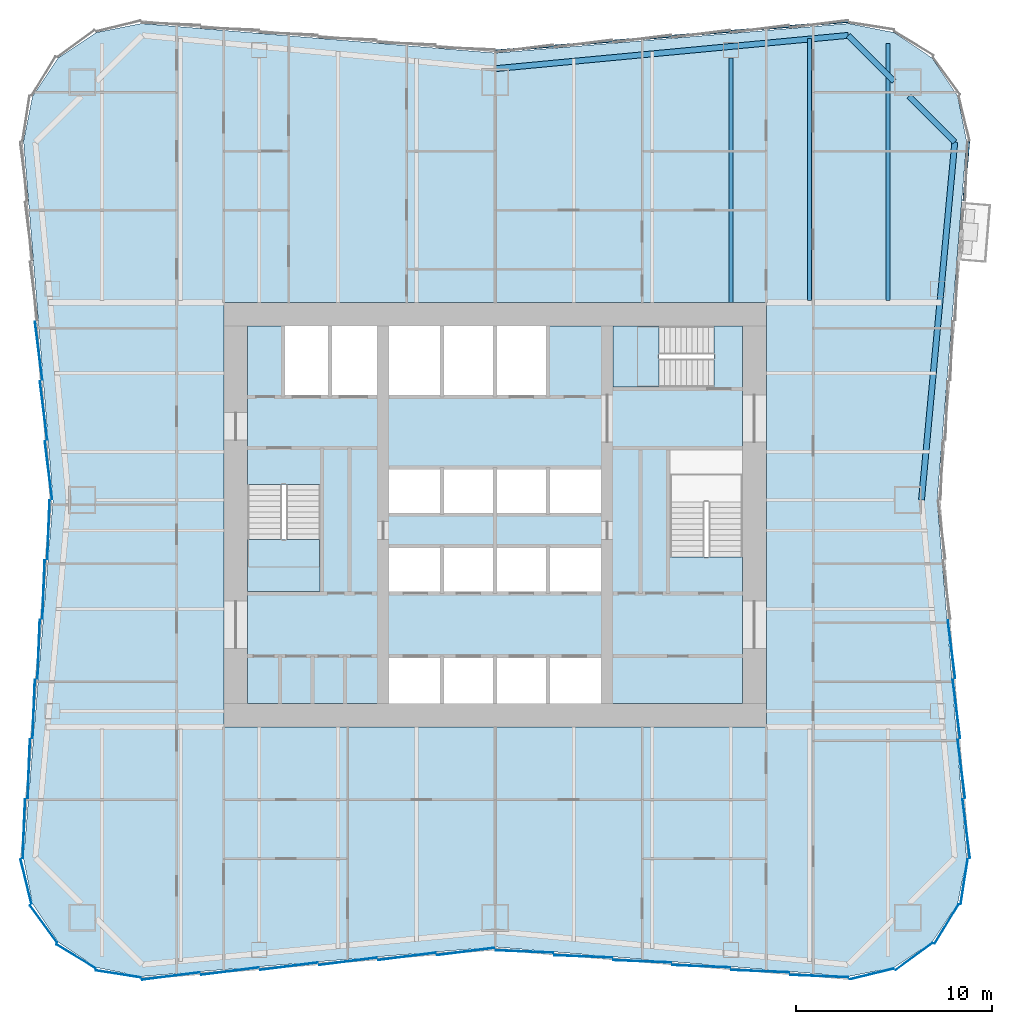
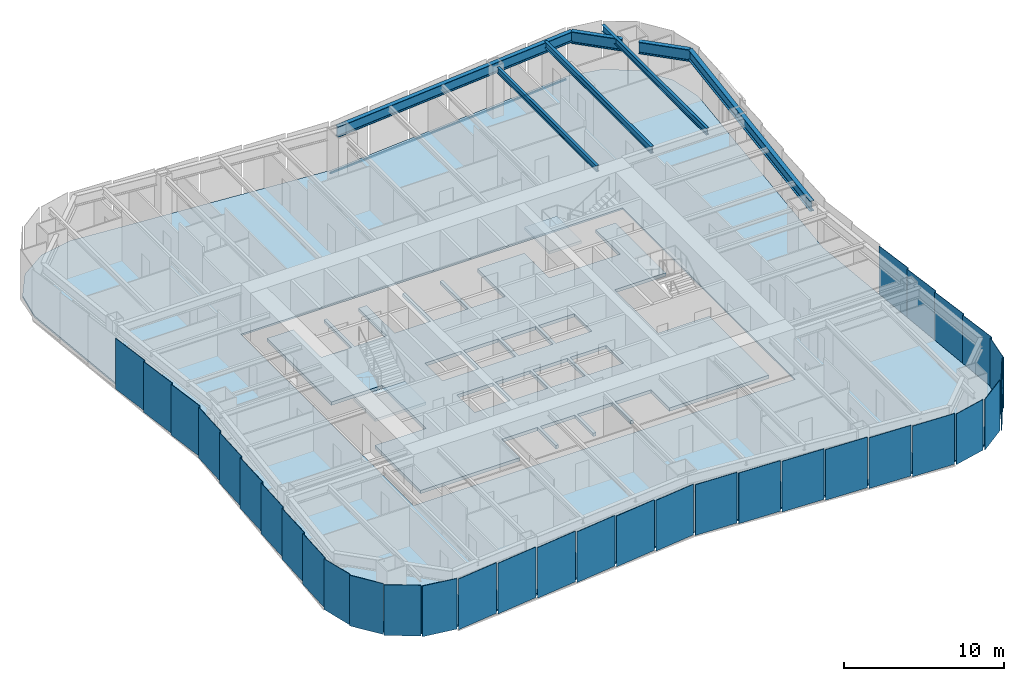
# One storey, part 2 of 9: 33 plates, 7 beams, 4 slabs, 2 members, 8 elements without a shape of their own.
"""IFC4 building model written with IfcOpenShell, lengths in metres."""

from ifc_helpers import new_model, si_unit, direction, frame, origin, origin_2d, place, context, subcontext, project, spatial, polyline, rectangle, i_section, outline, extrude, material, layer, layer_set, material_profile, profile_set, type_object, element, aggregate, save


model = new_model("IFC4")

# Units and contexts
model_context = context("Model", 3, precision=1e-05, world=origin(), true_north=direction((0.0, 1.0)))
body_context = subcontext(model_context, "Body", "Model", "MODEL_VIEW")
ifc_project = project(units=[si_unit("LENGTHUNIT", "METRE"), si_unit("AREAUNIT", "SQUARE_METRE"), si_unit("VOLUMEUNIT", "CUBIC_METRE"), si_unit("PLANEANGLEUNIT", "RADIAN"), si_unit("MASSUNIT", "GRAM", prefix="KILO")], contexts=[model_context])

# Site, building, storey
site_placement = place(None, origin())
site = spatial("IfcSite", under=ifc_project, at=site_placement, CompositionType="ELEMENT")
building_placement = place(site_placement, origin())
building = spatial("IfcBuilding", under=site, at=building_placement, Name="Verdant Reach Tower", CompositionType="ELEMENT")
storey_placement = place(building_placement, frame((0.0, 0.0, 74.0)))
storey = spatial("IfcBuildingStorey", under=building, at=storey_placement, Name="L16", CompositionType="ELEMENT", Elevation=74.0)

# Curtain wall, member
ifc_material_1 = material(Name="Anodised aluminium", Category="aluminium")
curtain_wall_type = type_object("IfcCurtainWallType", Name="EN-CW SYSTEM Z1", PredefinedType="NOTDEFINED", material=ifc_material_1)
curtain_wall_1_placement = place(storey_placement, origin())
curtain_wall_1 = element("IfcCurtainWall", 1, at=curtain_wall_1_placement, inside=storey, type_object=curtain_wall_type, Name="Curtain wall east, L16", PredefinedType="NOTDEFINED")
ifc_material_profile_1 = material_profile(ifc_material_1, rectangle(XDim=0.10009765625, YDim=0.1220703125, at=origin_2d()), Name="Transom 122x100")
ifc_profile_set_1 = profile_set([ifc_material_profile_1], Name="Anodised aluminium")
member_type = type_object("IfcMemberType", Name="EN-TRANSOM Z1", PredefinedType="USERDEFINED", material=ifc_profile_set_1)
member_1_placement = place(storey_placement, frame((23.855224609375, 43.980712890625, -0.2890625), z_axis=(0.081586055135, 0.996666301029, 0.0), x_axis=(-0.996666301029, 0.081586055135, 0.0)))
member_1 = element("IfcMember", 2, at=member_1_placement, type_object=member_type, Name="Transom east face part 2 2.1, L16", ObjectType="TRANSOM", PredefinedType="USERDEFINED", context=body_context, shape_type="SweptSolid", body=[
    extrude(rectangle(XDim=0.10009765625, YDim=0.1220703125, at=origin_2d()), origin(), (0.0, 0.0, 1.0), 3.00439453125),
])

curtain_wall_2_placement = place(storey_placement, origin())
curtain_wall_2 = element("IfcCurtainWall", 3, at=curtain_wall_2_placement, inside=storey, type_object=curtain_wall_type, Name="Curtain wall north, L16", PredefinedType="NOTDEFINED")
member_2_placement = place(storey_placement, frame((17.974853515625, 53.100341796875, -0.2890625), z_axis=(-0.996547815143, -0.083020793384, 0.0), x_axis=(0.083020793384, -0.996547815143, 0.0)))
member_2 = element("IfcMember", 4, at=member_2_placement, type_object=member_type, Name="Transom north face part 1 1.1, L16", ObjectType="TRANSOM", PredefinedType="USERDEFINED", context=body_context, shape_type="SweptSolid", body=[
    extrude(rectangle(XDim=0.10009765625, YDim=0.1220703125, at=origin_2d()), origin(), (0.0, 0.0, 1.0), 18.006103515625),
])
aggregate(curtain_wall_2, [member_2])

# Beams
ifc_material_2 = material(Name="Steel S355", Category="steel")
ifc_material_profile_2 = material_profile(ifc_material_2, i_section(OverallWidth=0.18994140625, OverallDepth=0.449951171875, WebThickness=0.009521484375, FlangeThickness=0.0146484375, FilletRadius=0.02099609375, at=origin_2d()), Name="IPE 450")
ifc_profile_set_2 = profile_set([ifc_material_profile_2], Name="Steel S355")
beam_type_1 = type_object("IfcBeamType", Name="ST-JOIST-IPE450", PredefinedType="JOIST", material=ifc_profile_set_2)
beam_1_placement = place(storey_placement, frame((12.0, 38.800048828125, 3.64501953125), z_axis=(0.0, 1.0, 0.0), x_axis=(-1.0, 0.0, 0.0)))
element("IfcBeam", 5, at=beam_1_placement, inside=storey, type_object=beam_type_1, Name="Floor joist, L16", PredefinedType="JOIST", context=body_context, shape_type="SweptSolid", body=[
    extrude(i_section(OverallWidth=0.18994140625, OverallDepth=0.449951171875, WebThickness=0.009521484375, FlangeThickness=0.0146484375, FilletRadius=0.02099609375, at=origin_2d()), origin(), (0.0, 0.0, 1.0), 12.449951171875),
])
ifc_material_profile_3 = material_profile(ifc_material_2, i_section(OverallWidth=0.199951171875, OverallDepth=0.5, WebThickness=0.01025390625, FlangeThickness=0.01611328125, FilletRadius=0.02099609375, at=origin_2d()), Name="IPE 500")
ifc_profile_set_3 = profile_set([ifc_material_profile_3], Name="Steel S355")
beam_type_2 = type_object("IfcBeamType", Name="ST-JOIST-IPE500", PredefinedType="JOIST", material=ifc_profile_set_3)
beam_2_placement = place(storey_placement, frame((16.0, 38.89990234375, 3.6201171875), z_axis=(0.0, 1.0, 0.0), x_axis=(-1.0, 0.0, 0.0)))
element("IfcBeam", 6, at=beam_2_placement, inside=storey, type_object=beam_type_2, Name="Floor joist, L16", PredefinedType="JOIST", context=body_context, shape_type="SweptSolid", body=[
    extrude(i_section(OverallWidth=0.199951171875, OverallDepth=0.5, WebThickness=0.01025390625, FlangeThickness=0.01611328125, FilletRadius=0.02099609375, at=origin_2d()), origin(), (0.0, 0.0, 1.0), 13.331298828125),
])
beam_3_placement = place(storey_placement, frame((20.0, 38.89990234375, 3.6201171875), z_axis=(0.0, 1.0, 0.0), x_axis=(-1.0, 0.0, 0.0)))
element("IfcBeam", 7, at=beam_3_placement, inside=storey, type_object=beam_type_2, Name="Floor joist, L16", PredefinedType="JOIST", context=body_context, shape_type="SweptSolid", body=[
    extrude(i_section(OverallWidth=0.199951171875, OverallDepth=0.5, WebThickness=0.01025390625, FlangeThickness=0.01611328125, FilletRadius=0.02099609375, at=origin_2d()), origin(), (0.0, 0.0, 1.0), 13.090576171875),
])
ifc_material_profile_4 = material_profile(ifc_material_2, i_section(OverallWidth=0.300048828125, OverallDepth=0.800048828125, WebThickness=0.017578125, FlangeThickness=0.032958984375, FilletRadius=0.030029296875, at=origin_2d()), Name="HEB 800")
ifc_profile_set_4 = profile_set([ifc_material_profile_4], Name="Steel S355")
beam_type_3 = type_object("IfcBeamType", Name="ST-SPANDREL-HEB800", PredefinedType="SPANDREL", material=ifc_profile_set_4)
beam_4_placement = place(storey_placement, frame((0.0, 50.699951171875, 3.469970703125), z_axis=(0.995578571765, 0.093932462137, 0.0), x_axis=(-0.093932462137, 0.995578571765, 0.0)))
element("IfcBeam", 8, at=beam_4_placement, inside=storey, type_object=beam_type_3, Name="Edge beam, L16", PredefinedType="SPANDREL", context=body_context, shape_type="SweptSolid", body=[
    extrude(i_section(OverallWidth=0.300048828125, OverallDepth=0.800048828125, WebThickness=0.017578125, FlangeThickness=0.032958984375, FilletRadius=0.030029296875, at=origin_2d()), origin(), (0.0, 0.0, 1.0), 18.045654296875),
])
beam_5_placement = place(storey_placement, frame((23.39501953125, 46.96533203125, 3.469970703125), z_axis=(-0.092656907618, -0.995698095544, 0.0), x_axis=(0.995698095544, -0.092656907618, 0.0)))
element("IfcBeam", 9, at=beam_5_placement, inside=storey, type_object=beam_type_3, Name="Edge beam, L16", PredefinedType="SPANDREL", context=body_context, shape_type="SweptSolid", body=[
    extrude(i_section(OverallWidth=0.300048828125, OverallDepth=0.800048828125, WebThickness=0.017578125, FlangeThickness=0.032958984375, FilletRadius=0.030029296875, at=origin_2d()), origin(), (0.0, 0.0, 1.0), 18.2939453125),
])
ifc_material_profile_5 = material_profile(ifc_material_2, i_section(OverallWidth=0.302001953125, OverallDepth=0.909912109375, WebThickness=0.02099609375, FlangeThickness=0.0400390625, FilletRadius=0.030029296875, at=origin_2d()), Name="HEM 900")
ifc_profile_set_5 = profile_set([ifc_material_profile_5], Name="Steel S355")
beam_type_4 = type_object("IfcBeamType", Name="ST-SPANDREL-HEM900", PredefinedType="SPANDREL", material=ifc_profile_set_5)
beam_6_placement = place(storey_placement, frame((17.9658203125, 52.39501953125, 3.4150390625), z_axis=(0.707106781187, -0.707106781187, 0.0), x_axis=(0.707106781187, 0.707106781187, 0.0)))
element("IfcBeam", 10, at=beam_6_placement, inside=storey, type_object=beam_type_4, Name="Edge beam, L16", PredefinedType="SPANDREL", context=body_context, shape_type="SweptSolid", body=[
    extrude(i_section(OverallWidth=0.302001953125, OverallDepth=0.909912109375, WebThickness=0.02099609375, FlangeThickness=0.0400390625, FilletRadius=0.030029296875, at=origin_2d()), origin(), (0.0, 0.0, 1.0), 3.301025390625),
])
beam_7_placement = place(storey_placement, frame((21.060546875, 49.300048828125, 3.4150390625), z_axis=(0.707069807316, -0.707143753123, 0.0), x_axis=(0.707143753123, 0.707069807316, 0.0)))
element("IfcBeam", 11, at=beam_7_placement, inside=storey, type_object=beam_type_4, Name="Edge beam, L16", PredefinedType="SPANDREL", context=body_context, shape_type="SweptSolid", body=[
    extrude(i_section(OverallWidth=0.302001953125, OverallDepth=0.909912109375, WebThickness=0.02099609375, FlangeThickness=0.0400390625, FilletRadius=0.030029296875, at=origin_2d()), origin(), (0.0, 0.0, 1.0), 3.301513671875),
])

# Stair, slab
ifc_material_3 = material(Name="Concrete C40/50", Category="concrete")
stair_type = type_object("IfcStairType", Name="CO-STAIR", PredefinedType="HALF_TURN_STAIR", material=ifc_material_3)
stair_1_placement = place(storey_placement, origin())
stair_1 = element("IfcStair", 12, at=stair_1_placement, inside=storey, type_object=stair_type, Name="L16 Exit stair 1", PredefinedType="HALF_TURN_STAIR")
ifc_layer_1 = layer(ifc_material_3, 0.199951171875)
ifc_layer_set_1 = layer_set([ifc_layer_1], Name="CO-STAIR-LANDING")
slab_type_1 = type_object("IfcSlabType", Name="CO-STAIR-LANDING", PredefinedType="LANDING", material=ifc_layer_set_1)
slab_1_placement = place(storey_placement, frame((0.0, 0.0, 1.800048828125)))
slab_1 = element("IfcSlab", 13, at=slab_1_placement, type_object=slab_type_1, Name="ST-1 landing 1", PredefinedType="LANDING", context=body_context, shape_type="SweptSolid", body=[
    extrude(outline(polyline([(-12.60009765625, 26.75), (-12.60009765625, 24.10009765625), (-8.89990234375, 24.10009765625), (-8.89990234375, 26.75), (-12.60009765625, 26.75)])), origin(), (0.0, 0.0, 1.0), 0.199951171875),
])
aggregate(stair_1, [slab_1])

stair_2_placement = place(storey_placement, origin())
stair_2 = element("IfcStair", 14, at=stair_2_placement, inside=storey, type_object=stair_type, Name="L16 Exit stair 3", PredefinedType="HALF_TURN_STAIR")
slab_2_placement = place(storey_placement, frame((0.0, 0.0, 1.800048828125)))
slab_2 = element("IfcSlab", 15, at=slab_2_placement, type_object=slab_type_1, Name="ST-3 landing 1", PredefinedType="LANDING", context=body_context, shape_type="SweptSolid", body=[
    extrude(outline(polyline([(8.35009765625, 37.60009765625), (6.0, 37.60009765625), (6.0, 34.5), (8.35009765625, 34.5), (8.35009765625, 37.60009765625)])), origin(), (0.0, 0.0, 1.0), 0.199951171875),
])
aggregate(stair_2, [slab_2])

# Curtain wall, plate
curtain_wall_3_placement = place(storey_placement, origin())
curtain_wall_3 = element("IfcCurtainWall", 16, at=curtain_wall_3_placement, inside=storey, type_object=curtain_wall_type, Name="Curtain wall south-east corner, L16", PredefinedType="NOTDEFINED")
ifc_material_4 = material(Name="Tinted glass with champagne spandrel", Category="glass")
ifc_layer_2 = layer(ifc_material_4, 0.031982421875)
ifc_layer_set_2 = layer_set([ifc_layer_2], Name="EN-PANEL CHAMPAGNE")
plate_type_1 = type_object("IfcPlateType", Name="EN-PANEL CHAMPAGNE", PredefinedType="CURTAIN_PANEL", material=ifc_layer_set_2)
plate_1_placement = place(storey_placement, frame((19.170654296875, 4.62939453125, -0.22802734375), z_axis=(0.0, 0.0, 1.0), x_axis=(0.971660685934, 0.236380014828, 0.0)))
plate_1 = element("IfcPlate", 17, at=plate_1_placement, type_object=plate_type_1, Name="Glass panel south-east corner 1.1, L16", PredefinedType="CURTAIN_PANEL", context=body_context, shape_type="SweptSolid", body=[
    extrude(rectangle(XDim=2.317626953125, YDim=0.031982421875, at=origin_2d()), origin(), (0.0, 0.0, 1.0), 3.8779296875),
])

# Curtain wall, plates
curtain_wall_4_placement = place(storey_placement, origin())
curtain_wall_4 = element("IfcCurtainWall", 18, at=curtain_wall_4_placement, inside=storey, type_object=curtain_wall_type, Name="Curtain wall west, L16", PredefinedType="NOTDEFINED")
plate_2_placement = place(storey_placement, frame((-23.2275390625, 36.345703125, -0.22802734375), z_axis=(0.0, 0.0, 1.0), x_axis=(0.123578623975, -0.992334784081, 0.0)))
plate_2 = element("IfcPlate", 19, at=plate_2_placement, type_object=plate_type_1, Name="Glass panel west face part 1 4.1, L16", PredefinedType="CURTAIN_PANEL", context=body_context, shape_type="SweptSolid", body=[
    extrude(rectangle(XDim=2.993896484375, YDim=0.031982421875, at=origin_2d()), origin(), (0.0, 0.0, 1.0), 3.8779296875),
])
plate_3_placement = place(storey_placement, frame((-23.4775390625, 18.112548828125, -0.22802734375), z_axis=(0.0, 0.0, 1.0), x_axis=(-0.040108781752, -0.999195319057, 0.0)))
plate_3 = element("IfcPlate", 20, at=plate_3_placement, type_object=plate_type_1, Name="Glass panel west face part 2 4.1, L16", PredefinedType="CURTAIN_PANEL", context=body_context, shape_type="SweptSolid", body=[
    extrude(rectangle(XDim=2.993896484375, YDim=0.031982421875, at=origin_2d()), origin(), (0.0, 0.0, 1.0), 3.8779296875),
])
plate_4_placement = place(storey_placement, frame((-23.7275390625, 15.071044921875, -0.22802734375), z_axis=(0.0, 0.0, 1.0), x_axis=(-0.040108781752, -0.999195319057, 0.0)))
plate_4 = element("IfcPlate", 21, at=plate_4_placement, type_object=plate_type_1, Name="Glass panel west face part 2 5.1, L16", PredefinedType="CURTAIN_PANEL", context=body_context, shape_type="SweptSolid", body=[
    extrude(rectangle(XDim=2.993896484375, YDim=0.031982421875, at=origin_2d()), origin(), (0.0, 0.0, 1.0), 3.8779296875),
])

curtain_wall_5_placement = place(storey_placement, origin())
curtain_wall_5 = element("IfcCurtainWall", 22, at=curtain_wall_5_placement, inside=storey, type_object=curtain_wall_type, Name="Curtain wall south-west corner, L16", PredefinedType="NOTDEFINED")
plate_5_placement = place(storey_placement, frame((-22.97705078125, 7.174560546875, -0.22802734375), z_axis=(0.0, 0.0, 1.0), x_axis=(0.589926768145, -0.807456753161, 0.0)))
plate_5 = element("IfcPlate", 23, at=plate_5_placement, type_object=plate_type_1, Name="Glass panel south-west corner 2.1, L16", PredefinedType="CURTAIN_PANEL", context=body_context, shape_type="SweptSolid", body=[
    extrude(rectangle(XDim=2.3232421875, YDim=0.031982421875, at=origin_2d()), origin(), (0.0, 0.0, 1.0), 3.8779296875),
])
plate_6_placement = place(storey_placement, frame((-21.325439453125, 5.52294921875, -0.22802734375), z_axis=(0.0, 0.0, 1.0), x_axis=(0.85398868836, -0.520291572248, 0.0)))
plate_6 = element("IfcPlate", 24, at=plate_6_placement, type_object=plate_type_1, Name="Glass panel south-west corner 3.1, L16", PredefinedType="CURTAIN_PANEL", context=body_context, shape_type="SweptSolid", body=[
    extrude(rectangle(XDim=2.3232421875, YDim=0.031982421875, at=origin_2d()), origin(), (0.0, 0.0, 1.0), 3.8779296875),
])
plate_7_placement = place(storey_placement, frame((-19.170654296875, 4.62939453125, -0.22802734375), z_axis=(0.0, 0.0, 1.0), x_axis=(0.988032704995, -0.154244526195, 0.0)))
plate_7 = element("IfcPlate", 25, at=plate_7_placement, type_object=plate_type_1, Name="Glass panel south-west corner 4.1, L16", PredefinedType="CURTAIN_PANEL", context=body_context, shape_type="SweptSolid", body=[
    extrude(rectangle(XDim=2.317626953125, YDim=0.031982421875, at=origin_2d()), origin(), (0.0, 0.0, 1.0), 3.8779296875),
])

curtain_wall_6_placement = place(storey_placement, origin())
curtain_wall_6 = element("IfcCurtainWall", 26, at=curtain_wall_6_placement, inside=storey, type_object=curtain_wall_type, Name="Curtain wall south, L16", PredefinedType="NOTDEFINED")
plate_8_placement = place(storey_placement, frame((-16.49853515625, 4.522216796875, -0.22802734375), z_axis=(0.0, 0.0, 1.0), x_axis=(0.99223537376, 0.124374286167, 0.0)))
plate_8 = element("IfcPlate", 27, at=plate_8_placement, type_object=plate_type_1, Name="Glass panel south face part 1 1.1, L16", PredefinedType="CURTAIN_PANEL", context=body_context, shape_type="SweptSolid", body=[
    extrude(rectangle(XDim=2.966796875, YDim=0.031982421875, at=origin_2d()), origin(), (0.0, 0.0, 1.0), 3.8779296875),
])
plate_9_placement = place(storey_placement, frame((1.49560546875, 5.772216796875, -0.22802734375), z_axis=(0.0, 0.0, 1.0), x_axis=(0.99914430697, -0.041360051381, 0.0)))
plate_9 = element("IfcPlate", 28, at=plate_9_placement, type_object=plate_type_1, Name="Glass panel south face part 2 1.1, L16", PredefinedType="CURTAIN_PANEL", context=body_context, shape_type="SweptSolid", body=[
    extrude(rectangle(XDim=2.94384765625, YDim=0.031982421875, at=origin_2d()), origin(), (0.0, 0.0, 1.0), 3.8779296875),
])
plate_10_placement = place(storey_placement, frame((4.491455078125, 5.5224609375, -0.22802734375), z_axis=(0.0, 0.0, 1.0), x_axis=(0.999149202059, -0.041241629766, 0.0)))
plate_10 = element("IfcPlate", 29, at=plate_10_placement, type_object=plate_type_1, Name="Glass panel south face part 2 2.1, L16", PredefinedType="CURTAIN_PANEL", context=body_context, shape_type="SweptSolid", body=[
    extrude(rectangle(XDim=2.952392578125, YDim=0.031982421875, at=origin_2d()), origin(), (0.0, 0.0, 1.0), 3.8779296875),
])
plate_11_placement = place(storey_placement, frame((7.491455078125, 5.2724609375, -0.22802734375), z_axis=(0.0, 0.0, 1.0), x_axis=(0.999149202059, -0.041241629766, 0.0)))
plate_11 = element("IfcPlate", 30, at=plate_11_placement, type_object=plate_type_1, Name="Glass panel south face part 2 3.1, L16", PredefinedType="CURTAIN_PANEL", context=body_context, shape_type="SweptSolid", body=[
    extrude(rectangle(XDim=2.952392578125, YDim=0.031982421875, at=origin_2d()), origin(), (0.0, 0.0, 1.0), 3.8779296875),
])

# Plate
ifc_material_5 = material(Name="Tinted glass with copper spandrel", Category="glass")
ifc_layer_3 = layer(ifc_material_5, 0.031982421875)
ifc_layer_set_3 = layer_set([ifc_layer_3], Name="EN-PANEL COPPER")
plate_type_2 = type_object("IfcPlateType", Name="EN-PANEL COPPER", PredefinedType="CURTAIN_PANEL", material=ifc_layer_set_3)
plate_12_placement = place(storey_placement, frame((21.325439453125, 5.52294921875, -0.22802734375), z_axis=(0.0, 0.0, 1.0), x_axis=(0.807456753161, 0.589926768145, 0.0)))
plate_12 = element("IfcPlate", 31, at=plate_12_placement, type_object=plate_type_2, Name="Glass panel south-east corner 2.1, L16", PredefinedType="CURTAIN_PANEL", context=body_context, shape_type="SweptSolid", body=[
    extrude(rectangle(XDim=2.3232421875, YDim=0.031982421875, at=origin_2d()), origin(), (0.0, 0.0, 1.0), 3.8779296875),
])

plate_13_placement = place(storey_placement, frame((22.97705078125, 7.174560546875, -0.22802734375), z_axis=(0.0, 0.0, 1.0), x_axis=(0.520291572248, 0.85398868836, 0.0)))
plate_13 = element("IfcPlate", 32, at=plate_13_placement, type_object=plate_type_2, Name="Glass panel south-east corner 3.1, L16", PredefinedType="CURTAIN_PANEL", context=body_context, shape_type="SweptSolid", body=[
    extrude(rectangle(XDim=2.3232421875, YDim=0.031982421875, at=origin_2d()), origin(), (0.0, 0.0, 1.0), 3.8779296875),
])

plate_14_placement = place(storey_placement, frame((23.87060546875, 9.329345703125, -0.22802734375), z_axis=(0.0, 0.0, 1.0), x_axis=(0.154247912016, 0.988032176419, 0.0)))
plate_14 = element("IfcPlate", 33, at=plate_14_placement, type_object=plate_type_2, Name="Glass panel south-east corner 4.1, L16", PredefinedType="CURTAIN_PANEL", context=body_context, shape_type="SweptSolid", body=[
    extrude(rectangle(XDim=2.3173828125, YDim=0.031982421875, at=origin_2d()), origin(), (0.0, 0.0, 1.0), 3.8779296875),
])

aggregate(curtain_wall_3, [plate_1, plate_12, plate_13, plate_14])

plate_15_placement = place(storey_placement, frame((23.977783203125, 12.022216796875, -0.22802734375), z_axis=(0.0, 0.0, 1.0), x_axis=(-0.123256305275, 0.992374870304, 0.0)))
plate_15 = element("IfcPlate", 34, at=plate_15_placement, type_object=plate_type_2, Name="Glass panel east face part 1 1.1, L16", PredefinedType="CURTAIN_PANEL", context=body_context, shape_type="SweptSolid", body=[
    extrude(rectangle(XDim=3.00830078125, YDim=0.031982421875, at=origin_2d()), origin(), (0.0, 0.0, 1.0), 3.8779296875),
])

plate_16_placement = place(storey_placement, frame((23.7275390625, 15.071044921875, -0.22802734375), z_axis=(0.0, 0.0, 1.0), x_axis=(-0.123578623975, 0.992334784081, 0.0)))
plate_16 = element("IfcPlate", 35, at=plate_16_placement, type_object=plate_type_2, Name="Glass panel east face part 1 2.1, L16", PredefinedType="CURTAIN_PANEL", context=body_context, shape_type="SweptSolid", body=[
    extrude(rectangle(XDim=2.993896484375, YDim=0.031982421875, at=origin_2d()), origin(), (0.0, 0.0, 1.0), 3.8779296875),
])

plate_17_placement = place(storey_placement, frame((-22.9775390625, 33.303955078125, -0.22802734375), z_axis=(0.0, 0.0, 1.0), x_axis=(0.123578623975, -0.992334784081, 0.0)))
plate_17 = element("IfcPlate", 36, at=plate_17_placement, type_object=plate_type_2, Name="Glass panel west face part 1 5.1, L16", PredefinedType="CURTAIN_PANEL", context=body_context, shape_type="SweptSolid", body=[
    extrude(rectangle(XDim=2.993896484375, YDim=0.031982421875, at=origin_2d()), origin(), (0.0, 0.0, 1.0), 3.8779296875),
])

plate_18_placement = place(storey_placement, frame((-22.727783203125, 30.2666015625, -0.22802734375), z_axis=(0.0, 0.0, 1.0), x_axis=(0.123691487663, -0.992320722287, 0.0)))
plate_18 = element("IfcPlate", 37, at=plate_18_placement, type_object=plate_type_2, Name="Glass panel west face part 1 6.1, L16", PredefinedType="CURTAIN_PANEL", context=body_context, shape_type="SweptSolid", body=[
    extrude(rectangle(XDim=2.985595703125, YDim=0.031982421875, at=origin_2d()), origin(), (0.0, 0.0, 1.0), 3.8779296875),
])

plate_19_placement = place(storey_placement, frame((-23.977783203125, 12.022216796875, -0.22802734375), z_axis=(0.0, 0.0, 1.0), x_axis=(-0.039784239139, -0.999208293759, 0.0)))
plate_19 = element("IfcPlate", 38, at=plate_19_placement, type_object=plate_type_2, Name="Glass panel west face part 2 6.1, L16", PredefinedType="CURTAIN_PANEL", context=body_context, shape_type="SweptSolid", body=[
    extrude(rectangle(XDim=3.00830078125, YDim=0.031982421875, at=origin_2d()), origin(), (0.0, 0.0, 1.0), 3.8779296875),
])

plate_20_placement = place(storey_placement, frame((-13.491455078125, 4.7724609375, -0.22802734375), z_axis=(0.0, 0.0, 1.0), x_axis=(0.992194034542, 0.124703639961, 0.0)))
plate_20 = element("IfcPlate", 39, at=plate_20_placement, type_object=plate_type_2, Name="Glass panel south face part 1 2.1, L16", PredefinedType="CURTAIN_PANEL", context=body_context, shape_type="SweptSolid", body=[
    extrude(rectangle(XDim=2.952392578125, YDim=0.031982421875, at=origin_2d()), origin(), (0.0, 0.0, 1.0), 3.8779296875),
])

plate_21_placement = place(storey_placement, frame((-10.491455078125, 5.0224609375, -0.22802734375), z_axis=(0.0, 0.0, 1.0), x_axis=(0.992194034542, 0.124703639961, 0.0)))
plate_21 = element("IfcPlate", 40, at=plate_21_placement, type_object=plate_type_2, Name="Glass panel south face part 1 3.1, L16", PredefinedType="CURTAIN_PANEL", context=body_context, shape_type="SweptSolid", body=[
    extrude(rectangle(XDim=2.952392578125, YDim=0.031982421875, at=origin_2d()), origin(), (0.0, 0.0, 1.0), 3.8779296875),
])

plate_22_placement = place(storey_placement, frame((-7.491455078125, 5.2724609375, -0.22802734375), z_axis=(0.0, 0.0, 1.0), x_axis=(0.992194034542, 0.124703639961, 0.0)))
plate_22 = element("IfcPlate", 41, at=plate_22_placement, type_object=plate_type_2, Name="Glass panel south face part 1 4.1, L16", PredefinedType="CURTAIN_PANEL", context=body_context, shape_type="SweptSolid", body=[
    extrude(rectangle(XDim=2.952392578125, YDim=0.031982421875, at=origin_2d()), origin(), (0.0, 0.0, 1.0), 3.8779296875),
])

plate_23_placement = place(storey_placement, frame((10.491455078125, 5.0224609375, -0.22802734375), z_axis=(0.0, 0.0, 1.0), x_axis=(0.999149202059, -0.041241629766, 0.0)))
plate_23 = element("IfcPlate", 42, at=plate_23_placement, type_object=plate_type_2, Name="Glass panel south face part 2 4.1, L16", PredefinedType="CURTAIN_PANEL", context=body_context, shape_type="SweptSolid", body=[
    extrude(rectangle(XDim=2.952392578125, YDim=0.031982421875, at=origin_2d()), origin(), (0.0, 0.0, 1.0), 3.8779296875),
])

plate_24_placement = place(storey_placement, frame((13.491455078125, 4.7724609375, -0.22802734375), z_axis=(0.0, 0.0, 1.0), x_axis=(0.999149202059, -0.041241629766, 0.0)))
plate_24 = element("IfcPlate", 43, at=plate_24_placement, type_object=plate_type_2, Name="Glass panel south face part 2 5.1, L16", PredefinedType="CURTAIN_PANEL", context=body_context, shape_type="SweptSolid", body=[
    extrude(rectangle(XDim=2.952392578125, YDim=0.031982421875, at=origin_2d()), origin(), (0.0, 0.0, 1.0), 3.8779296875),
])

ifc_material_6 = material(Name="Tinted glass with dark bronze spandrel", Category="glass")
ifc_layer_4 = layer(ifc_material_6, 0.031982421875)
ifc_layer_set_4 = layer_set([ifc_layer_4], Name="EN-PANEL DARK")
plate_type_3 = type_object("IfcPlateType", Name="EN-PANEL DARK", PredefinedType="CURTAIN_PANEL", material=ifc_layer_set_4)
plate_25_placement = place(storey_placement, frame((23.4775390625, 18.112548828125, -0.22802734375), z_axis=(0.0, 0.0, 1.0), x_axis=(-0.123578623975, 0.992334784081, 0.0)))
plate_25 = element("IfcPlate", 44, at=plate_25_placement, type_object=plate_type_3, Name="Glass panel east face part 1 3.1, L16", PredefinedType="CURTAIN_PANEL", context=body_context, shape_type="SweptSolid", body=[
    extrude(rectangle(XDim=2.993896484375, YDim=0.031982421875, at=origin_2d()), origin(), (0.0, 0.0, 1.0), 3.8779296875),
])

plate_26_placement = place(storey_placement, frame((23.2275390625, 21.154296875, -0.22802734375), z_axis=(0.0, 0.0, 1.0), x_axis=(-0.123578623975, 0.992334784081, 0.0)))
plate_26 = element("IfcPlate", 45, at=plate_26_placement, type_object=plate_type_3, Name="Glass panel east face part 1 4.1, L16", PredefinedType="CURTAIN_PANEL", context=body_context, shape_type="SweptSolid", body=[
    extrude(rectangle(XDim=2.993896484375, YDim=0.031982421875, at=origin_2d()), origin(), (0.0, 0.0, 1.0), 3.8779296875),
])

aggregate(curtain_wall_1, [plate_15, plate_16, plate_25, plate_26, member_1])

plate_27_placement = place(storey_placement, frame((-22.727783203125, 27.2333984375, -0.22802734375), z_axis=(0.0, 0.0, 1.0), x_axis=(-0.040222426271, -0.99919075077, 0.0)))
plate_27 = element("IfcPlate", 46, at=plate_27_placement, type_object=plate_type_3, Name="Glass panel west face part 2 1.1, L16", PredefinedType="CURTAIN_PANEL", context=body_context, shape_type="SweptSolid", body=[
    extrude(rectangle(XDim=2.985595703125, YDim=0.031982421875, at=origin_2d()), origin(), (0.0, 0.0, 1.0), 3.8779296875),
])

plate_28_placement = place(storey_placement, frame((-22.9775390625, 24.196044921875, -0.22802734375), z_axis=(0.0, 0.0, 1.0), x_axis=(-0.040108781752, -0.999195319057, 0.0)))
plate_28 = element("IfcPlate", 47, at=plate_28_placement, type_object=plate_type_3, Name="Glass panel west face part 2 2.1, L16", PredefinedType="CURTAIN_PANEL", context=body_context, shape_type="SweptSolid", body=[
    extrude(rectangle(XDim=2.993896484375, YDim=0.031982421875, at=origin_2d()), origin(), (0.0, 0.0, 1.0), 3.8779296875),
])

plate_29_placement = place(storey_placement, frame((-23.2275390625, 21.154296875, -0.22802734375), z_axis=(0.0, 0.0, 1.0), x_axis=(-0.040108781752, -0.999195319057, 0.0)))
plate_29 = element("IfcPlate", 48, at=plate_29_placement, type_object=plate_type_3, Name="Glass panel west face part 2 3.1, L16", PredefinedType="CURTAIN_PANEL", context=body_context, shape_type="SweptSolid", body=[
    extrude(rectangle(XDim=2.993896484375, YDim=0.031982421875, at=origin_2d()), origin(), (0.0, 0.0, 1.0), 3.8779296875),
])

aggregate(curtain_wall_4, [plate_2, plate_17, plate_18, plate_27, plate_28, plate_29, plate_3, plate_4, plate_19])

plate_30_placement = place(storey_placement, frame((-23.87060546875, 9.329345703125, -0.22802734375), z_axis=(0.0, 0.0, 1.0), x_axis=(0.236383344544, -0.971659875894, 0.0)))
plate_30 = element("IfcPlate", 49, at=plate_30_placement, type_object=plate_type_3, Name="Glass panel south-west corner 1.1, L16", PredefinedType="CURTAIN_PANEL", context=body_context, shape_type="SweptSolid", body=[
    extrude(rectangle(XDim=2.3173828125, YDim=0.031982421875, at=origin_2d()), origin(), (0.0, 0.0, 1.0), 3.8779296875),
])

aggregate(curtain_wall_5, [plate_30, plate_5, plate_6, plate_7])

plate_31_placement = place(storey_placement, frame((-4.491455078125, 5.5224609375, -0.22802734375), z_axis=(0.0, 0.0, 1.0), x_axis=(0.992194034542, 0.124703639961, 0.0)))
plate_31 = element("IfcPlate", 50, at=plate_31_placement, type_object=plate_type_3, Name="Glass panel south face part 1 5.1, L16", PredefinedType="CURTAIN_PANEL", context=body_context, shape_type="SweptSolid", body=[
    extrude(rectangle(XDim=2.952392578125, YDim=0.031982421875, at=origin_2d()), origin(), (0.0, 0.0, 1.0), 3.8779296875),
])

plate_32_placement = place(storey_placement, frame((-1.49560546875, 5.772216796875, -0.22802734375), z_axis=(0.0, 0.0, 1.0), x_axis=(0.992179247355, 0.124821236644, 0.0)))
plate_32 = element("IfcPlate", 51, at=plate_32_placement, type_object=plate_type_3, Name="Glass panel south face part 1 6.1, L16", PredefinedType="CURTAIN_PANEL", context=body_context, shape_type="SweptSolid", body=[
    extrude(rectangle(XDim=2.94384765625, YDim=0.031982421875, at=origin_2d()), origin(), (0.0, 0.0, 1.0), 3.8779296875),
])

plate_33_placement = place(storey_placement, frame((16.49853515625, 4.522216796875, -0.22802734375), z_axis=(0.0, 0.0, 1.0), x_axis=(0.999162836679, -0.040909971885, 0.0)))
plate_33 = element("IfcPlate", 52, at=plate_33_placement, type_object=plate_type_3, Name="Glass panel south face part 2 6.1, L16", PredefinedType="CURTAIN_PANEL", context=body_context, shape_type="SweptSolid", body=[
    extrude(rectangle(XDim=2.966796875, YDim=0.031982421875, at=origin_2d()), origin(), (0.0, 0.0, 1.0), 3.8779296875),
])

aggregate(curtain_wall_6, [plate_8, plate_20, plate_21, plate_22, plate_31, plate_32, plate_9, plate_10, plate_11, plate_23, plate_24, plate_33])

# Slabs
ifc_material_7 = material(Name="Concrete C35/45", Category="concrete")
ifc_layer_5 = layer(ifc_material_7, 0.1298828125)
ifc_layer_set_5 = layer_set([ifc_layer_5], Name="ST-SLAB-130")
slab_type_2 = type_object("IfcSlabType", Name="ST-SLAB-130", PredefinedType="FLOOR", material=ifc_layer_set_5)
slab_3_placement = place(storey_placement, frame((0.0, 0.0, -0.1298828125)))
element("IfcSlab", 53, at=slab_3_placement, inside=storey, type_object=slab_type_2, Name="Floor slab L16", PredefinedType="FLOOR", context=body_context, shape_type="SweptSolid", body=[
    extrude(outline(polyline([(0.0, 6.0), (-18.0, 4.5), (-20.296142578125, 4.956787109375), (-22.24267578125, 6.25732421875), (-23.543212890625, 8.203857421875), (-24.0, 10.5), (-22.5, 28.75), (-24.0, 47.0), (-23.543212890625, 49.296142578125), (-22.24267578125, 51.24267578125), (-20.296142578125, 52.543212890625), (-18.0, 53.0), (0.0, 51.5), (18.0, 53.0), (20.296142578125, 52.543212890625), (22.24267578125, 51.24267578125), (23.543212890625, 49.296142578125), (24.0, 47.0), (22.5, 28.75), (24.0, 10.5), (23.543212890625, 8.203857421875), (22.24267578125, 6.25732421875), (20.296142578125, 4.956787109375), (18.0, 4.5), (0.0, 6.0)]), holes=[polyline([(13.800048828125, 38.800048828125), (-13.800048828125, 38.800048828125), (-13.800048828125, 17.199951171875), (13.800048828125, 17.199951171875), (13.800048828125, 38.800048828125)])]), origin(), (0.0, 0.0, 1.0), 0.1298828125),
])
ifc_layer_6 = layer(ifc_material_7, 0.25)
ifc_layer_set_6 = layer_set([ifc_layer_6], Name="ST-SLAB-250")
slab_type_3 = type_object("IfcSlabType", Name="ST-SLAB-250", PredefinedType="FLOOR", material=ifc_layer_set_6)
slab_4_placement = place(storey_placement, frame((0.0, 0.0, -0.25)))
element("IfcSlab", 54, at=slab_4_placement, inside=storey, type_object=slab_type_3, Name="Core floor slab L16", PredefinedType="FLOOR", context=body_context, shape_type="SweptSolid", body=[
    extrude(outline(polyline([(12.60009765625, 18.39990234375), (5.39990234375, 18.39990234375), (5.39990234375, 20.699951171875), (2.800048828125, 20.699951171875), (2.800048828125, 18.39990234375), (2.60009765625, 18.39990234375), (2.60009765625, 20.699951171875), (0.10009765625, 20.699951171875), (0.10009765625, 18.39990234375), (-0.10009765625, 18.39990234375), (-0.10009765625, 20.699951171875), (-2.60009765625, 20.699951171875), (-2.60009765625, 18.39990234375), (-2.800048828125, 18.39990234375), (-2.800048828125, 20.699951171875), (-5.39990234375, 20.699951171875), (-5.39990234375, 18.39990234375), (-12.60009765625, 18.39990234375), (-12.60009765625, 24.10009765625), (-8.89990234375, 24.10009765625), (-8.89990234375, 29.548095703125), (-12.60009765625, 29.548095703125), (-12.60009765625, 37.60009765625), (-10.699951171875, 37.60009765625), (-10.699951171875, 34.10009765625), (-8.5, 34.10009765625), (-8.5, 37.60009765625), (-8.300048828125, 37.60009765625), (-8.300048828125, 34.10009765625), (-6.0, 34.10009765625), (-6.0, 37.60009765625), (-5.39990234375, 37.60009765625), (-5.39990234375, 34.10009765625), (-2.800048828125, 34.10009765625), (-2.800048828125, 37.60009765625), (-2.60009765625, 37.60009765625), (-2.60009765625, 34.10009765625), (-0.10009765625, 34.10009765625), (-0.10009765625, 37.60009765625), (0.10009765625, 37.60009765625), (0.10009765625, 34.10009765625), (2.60009765625, 34.10009765625), (2.60009765625, 37.60009765625), (6.0, 37.60009765625), (6.0, 34.5), (11.14794921875, 34.5), (11.14794921875, 37.60009765625), (12.60009765625, 37.60009765625), (12.60009765625, 31.300048828125), (8.89990234375, 31.300048828125), (8.89990234375, 25.85205078125), (12.60009765625, 25.85205078125), (12.60009765625, 18.39990234375)]), holes=[polyline([(-2.800048828125, 24.10009765625), (-2.800048828125, 26.300048828125), (-5.39990234375, 26.300048828125), (-5.39990234375, 24.10009765625), (-2.800048828125, 24.10009765625)]), polyline([(-2.60009765625, 24.10009765625), (-0.10009765625, 24.10009765625), (-0.10009765625, 26.300048828125), (-2.60009765625, 26.300048828125), (-2.60009765625, 24.10009765625)]), polyline([(-2.800048828125, 28.10009765625), (-2.800048828125, 30.300048828125), (-5.39990234375, 30.300048828125), (-5.39990234375, 28.10009765625), (-2.800048828125, 28.10009765625)]), polyline([(-0.10009765625, 28.10009765625), (-0.10009765625, 30.300048828125), (-2.60009765625, 30.300048828125), (-2.60009765625, 28.10009765625), (-0.10009765625, 28.10009765625)]), polyline([(2.60009765625, 24.10009765625), (2.60009765625, 26.300048828125), (0.10009765625, 26.300048828125), (0.10009765625, 24.10009765625), (2.60009765625, 24.10009765625)]), polyline([(2.800048828125, 24.10009765625), (5.39990234375, 24.10009765625), (5.39990234375, 26.300048828125), (2.800048828125, 26.300048828125), (2.800048828125, 24.10009765625)]), polyline([(2.60009765625, 28.10009765625), (2.60009765625, 30.300048828125), (0.10009765625, 30.300048828125), (0.10009765625, 28.10009765625), (2.60009765625, 28.10009765625)]), polyline([(5.39990234375, 28.10009765625), (5.39990234375, 30.300048828125), (2.800048828125, 30.300048828125), (2.800048828125, 28.10009765625), (5.39990234375, 28.10009765625)])]), origin(), (0.0, 0.0, 1.0), 0.25),
])

save(model, "model.ifc")
